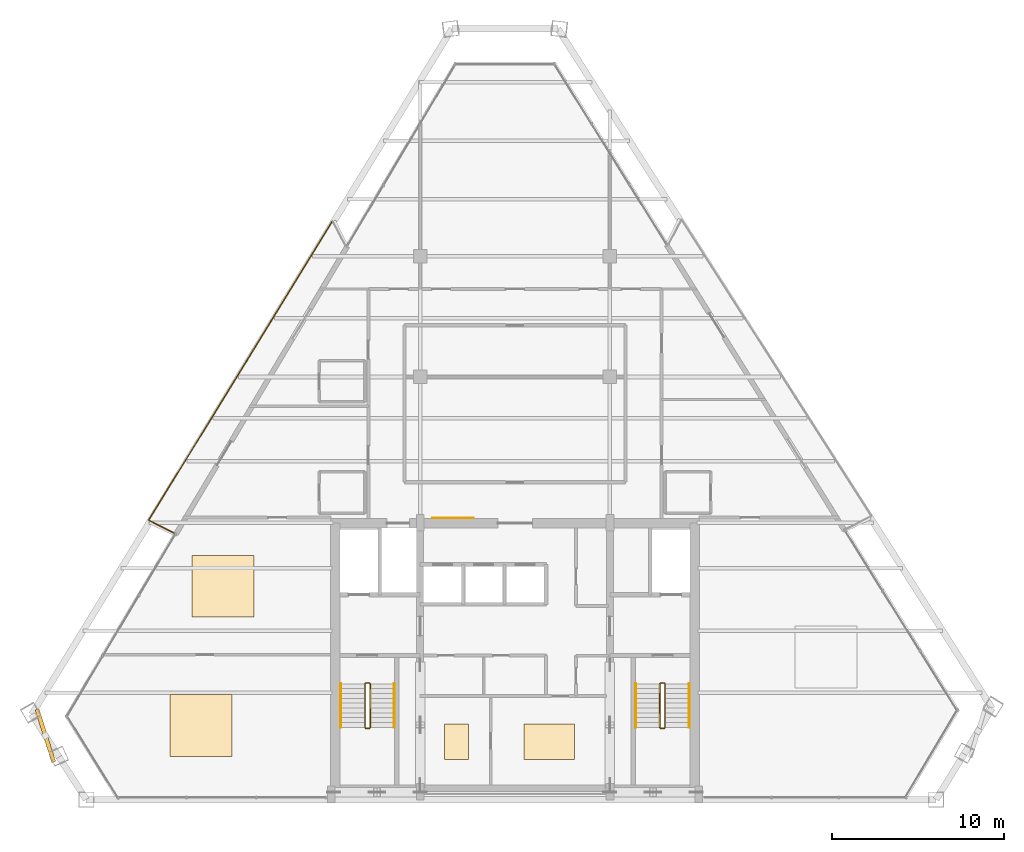
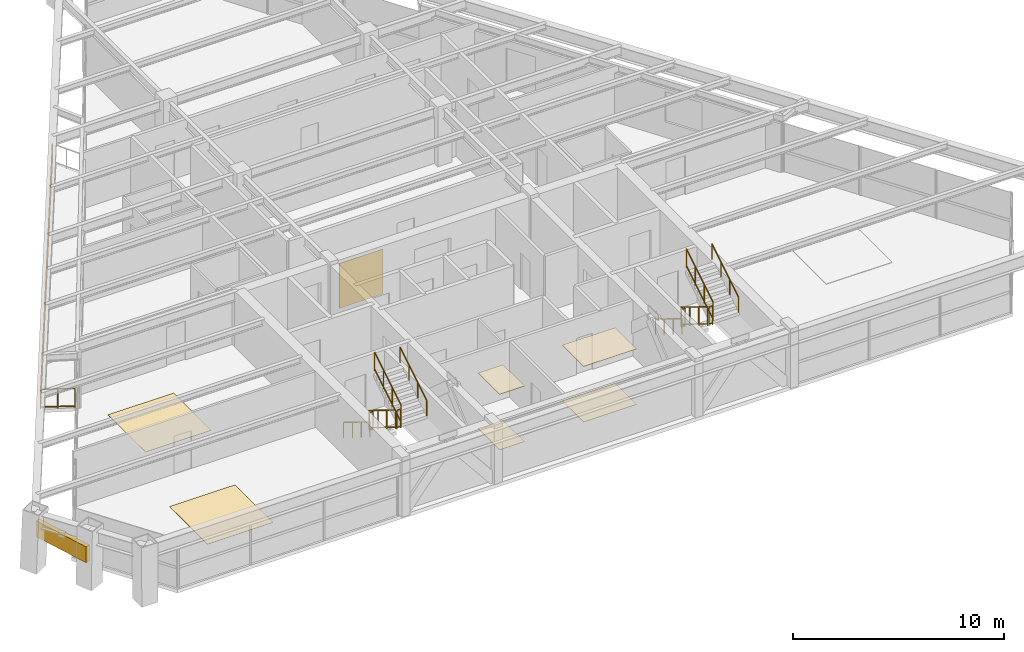
# One storey, part 11 of 12: 14 railings, 7 coverings, 1 shading device.
"""IFC4 building model written with IfcOpenShell, lengths in metres."""

from ifc_helpers import new_model, si_unit, direction, frame, origin, origin_2d, place, context, subcontext, project, spatial, rectangle, extrude, source, transform, mapped, material, layer, layer_set, type_object, type_shapes, element, save


model = new_model("IFC4")

# Units and contexts
model_context = context("Model", 3, precision=1e-05, world=origin(), true_north=direction((0.0, 1.0)))
body_context = subcontext(model_context, "Body", "Model", "MODEL_VIEW")
ifc_project = project(units=[si_unit("LENGTHUNIT", "METRE"), si_unit("AREAUNIT", "SQUARE_METRE"), si_unit("VOLUMEUNIT", "CUBIC_METRE"), si_unit("PLANEANGLEUNIT", "RADIAN"), si_unit("MASSUNIT", "GRAM", prefix="KILO")], contexts=[model_context])

# Site, building, storey
site_placement = place(None, origin())
site = spatial("IfcSite", under=ifc_project, at=site_placement, CompositionType="ELEMENT")
building_placement = place(site_placement, origin())
building = spatial("IfcBuilding", under=site, at=building_placement, Name="Varnakhor Terracotta Tower", CompositionType="ELEMENT")
storey_placement = place(building_placement, frame((0.0, 0.0, 226.89990234375)))
storey = spatial("IfcBuildingStorey", under=building, at=storey_placement, Name="L58", CompositionType="ELEMENT", Elevation=226.89990234375)

# Railings
ifc_material_1 = material(Name="Stainless Steel & Laminated Glass Guardrail", Category="steel")
railing_type_1 = type_object("IfcRailingType", Name="RLG-LOGGIA-GUARD-1150", PredefinedType="GUARDRAIL", material=ifc_material_1)
railing_1_placement = place(storey_placement, frame((-19.7822265625, 15.45361328125, 0.0)))
element("IfcRailing", 1, at=railing_1_placement, inside=storey, type_object=railing_type_1, Name="L58 W Loggia Glass Guard 1", PredefinedType="GUARDRAIL", context=body_context, shape_type="SweptSolid", body=[
    extrude(rectangle(XDim=0.048095703125, YDim=0.048095703125, at=origin_2d()), frame((0.0, 0.0, 1.1259765625), z_axis=(-0.888943163039, 0.45801752465, 0.0), x_axis=(-0.45801752465, -0.888943163039, 0.0)), (0.0, 0.0, 1.0), 1.631103515625),
    extrude(rectangle(XDim=0.048095703125, YDim=0.048095703125, at=origin_2d()), frame((0.0, 0.0, 0.10009765625), z_axis=(-0.888943163039, 0.45801752465, 0.0), x_axis=(-0.45801752465, -0.888943163039, 0.0)), (0.0, 0.0, 1.0), 1.631103515625),
    extrude(rectangle(XDim=0.0419921875, YDim=0.0419921875, at=origin_2d()), origin(), (0.0, 0.0, 1.0), 1.101806640625),
    extrude(rectangle(XDim=0.0419921875, YDim=0.0419921875, at=origin_2d()), frame((-0.72509765625, 0.37353515625, 0.0)), (0.0, 0.0, 1.0), 1.101806640625),
    extrude(rectangle(XDim=0.0419921875, YDim=0.0419921875, at=origin_2d()), frame((-1.449951171875, 0.7470703125, 0.0)), (0.0, 0.0, 1.0), 1.101806640625),
])
railing_2_placement = place(storey_placement, frame((-21.232177734375, 16.20068359375, 0.0)))
element("IfcRailing", 2, at=railing_2_placement, inside=storey, type_object=railing_type_1, Name="L58 W Loggia Glass Guard 2", PredefinedType="GUARDRAIL", context=body_context, shape_type="SweptSolid", body=[
    extrude(rectangle(XDim=0.048095703125, YDim=0.048095703125, at=origin_2d()), frame((0.0, 0.0, 1.1259765625), z_axis=(0.523518063165, 0.852014575896, 0.0), x_axis=(-0.852014575896, 0.523518063165, 0.0)), (0.0, 0.0, 1.0), 20.341552734375),
    extrude(rectangle(XDim=0.048095703125, YDim=0.048095703125, at=origin_2d()), frame((0.0, 0.0, 0.10009765625), z_axis=(0.523518063165, 0.852014575896, 0.0), x_axis=(-0.852014575896, 0.523518063165, 0.0)), (0.0, 0.0, 1.0), 20.341552734375),
    extrude(rectangle(XDim=0.0419921875, YDim=0.0419921875, at=origin_2d()), origin(), (0.0, 0.0, 1.0), 1.101806640625),
    extrude(rectangle(XDim=0.0419921875, YDim=0.0419921875, at=origin_2d()), frame((0.7099609375, 1.155517578125, 0.0)), (0.0, 0.0, 1.0), 1.101806640625),
    extrude(rectangle(XDim=0.0419921875, YDim=0.0419921875, at=origin_2d()), frame((1.419921875, 2.310791015625, 0.0)), (0.0, 0.0, 1.0), 1.101806640625),
    extrude(rectangle(XDim=0.0419921875, YDim=0.0419921875, at=origin_2d()), frame((2.1298828125, 3.46630859375, 0.0)), (0.0, 0.0, 1.0), 1.101806640625),
    extrude(rectangle(XDim=0.0419921875, YDim=0.0419921875, at=origin_2d()), frame((2.83984375, 4.62158203125, 0.0)), (0.0, 0.0, 1.0), 1.101806640625),
    extrude(rectangle(XDim=0.0419921875, YDim=0.0419921875, at=origin_2d()), frame((3.5498046875, 5.777099609375, 0.0)), (0.0, 0.0, 1.0), 1.101806640625),
    extrude(rectangle(XDim=0.0419921875, YDim=0.0419921875, at=origin_2d()), frame((4.259765625, 6.9326171875, 0.0)), (0.0, 0.0, 1.0), 1.101806640625),
    extrude(rectangle(XDim=0.0419921875, YDim=0.0419921875, at=origin_2d()), frame((4.9697265625, 8.087890625, 0.0)), (0.0, 0.0, 1.0), 1.101806640625),
    extrude(rectangle(XDim=0.0419921875, YDim=0.0419921875, at=origin_2d()), frame((5.679443359375, 9.243408203125, 0.0)), (0.0, 0.0, 1.0), 1.101806640625),
    extrude(rectangle(XDim=0.0419921875, YDim=0.0419921875, at=origin_2d()), frame((6.389404296875, 10.398681640625, 0.0)), (0.0, 0.0, 1.0), 1.101806640625),
    extrude(rectangle(XDim=0.0419921875, YDim=0.0419921875, at=origin_2d()), frame((7.099365234375, 11.55419921875, 0.0)), (0.0, 0.0, 1.0), 1.101806640625),
    extrude(rectangle(XDim=0.0419921875, YDim=0.0419921875, at=origin_2d()), frame((7.809326171875, 12.709716796875, 0.0)), (0.0, 0.0, 1.0), 1.101806640625),
    extrude(rectangle(XDim=0.0419921875, YDim=0.0419921875, at=origin_2d()), frame((8.519287109375, 13.864990234375, 0.0)), (0.0, 0.0, 1.0), 1.101806640625),
    extrude(rectangle(XDim=0.0419921875, YDim=0.0419921875, at=origin_2d()), frame((9.229248046875, 15.0205078125, 0.0)), (0.0, 0.0, 1.0), 1.101806640625),
    extrude(rectangle(XDim=0.0419921875, YDim=0.0419921875, at=origin_2d()), frame((9.939208984375, 16.17578125, 0.0)), (0.0, 0.0, 1.0), 1.101806640625),
    extrude(rectangle(XDim=0.0419921875, YDim=0.0419921875, at=origin_2d()), frame((10.649169921875, 17.331298828125, 0.0)), (0.0, 0.0, 1.0), 1.101806640625),
])
ifc_material_2 = material(Name="Painted Steel Stairwell Guardrail", Category="steel")
railing_type_2 = type_object("IfcRailingType", Name="RLG-STAIR-GUARD-1120", PredefinedType="GUARDRAIL", material=ifc_material_2)
railing_3_placement = place(storey_placement, frame((-8.699951171875, 6.7099609375, 0.172607421875)))
element("IfcRailing", 3, at=railing_3_placement, inside=storey, type_object=railing_type_2, Name="L58 ST-1 stair guard 1", PredefinedType="GUARDRAIL", context=body_context, shape_type="SweptSolid", body=[
    extrude(rectangle(XDim=0.048095703125, YDim=0.048095703125, at=origin_2d()), frame((0.0, 0.0, 1.09619140625), z_axis=(0.0, -0.851400495292, 0.524516154772), x_axis=(1.0, 0.0, 0.0)), (0.0, 0.0, 1.0), 2.9599609375),
    extrude(rectangle(XDim=0.048095703125, YDim=0.048095703125, at=origin_2d()), frame((0.0, 0.0, 0.10009765625), z_axis=(0.0, -0.851400495292, 0.524516154772), x_axis=(1.0, 0.0, 0.0)), (0.0, 0.0, 1.0), 2.9599609375),
    extrude(rectangle(XDim=0.0419921875, YDim=0.0419921875, at=origin_2d()), origin(), (0.0, 0.0, 1.0), 1.072021484375),
    extrude(rectangle(XDim=0.0419921875, YDim=0.0419921875, at=origin_2d()), frame((0.0, -0.840087890625, 0.517578125)), (0.0, 0.0, 1.0), 1.072021484375),
    extrude(rectangle(XDim=0.0419921875, YDim=0.0419921875, at=origin_2d()), frame((0.0, -1.679931640625, 1.034912109375)), (0.0, 0.0, 1.0), 1.072021484375),
    extrude(rectangle(XDim=0.0419921875, YDim=0.0419921875, at=origin_2d()), frame((0.0, -2.52001953125, 1.552490234375)), (0.0, 0.0, 1.0), 1.072021484375),
])
railing_4_placement = place(storey_placement, frame((-8.64990234375, 4.139892578125, 1.72509765625)))
element("IfcRailing", 4, at=railing_4_placement, inside=storey, type_object=railing_type_2, Name="L58 ST-1 stair guard 2", PredefinedType="GUARDRAIL", context=body_context, shape_type="SweptSolid", body=[
    extrude(rectangle(XDim=0.048095703125, YDim=0.048095703125, at=origin_2d()), frame((0.0, 0.0, 1.09619140625), z_axis=(1.0, 0.0, 0.0), x_axis=(0.0, 1.0, 0.0)), (0.0, 0.0, 1.0), 0.199951171875),
    extrude(rectangle(XDim=0.048095703125, YDim=0.048095703125, at=origin_2d()), frame((0.0, 0.0, 0.10009765625), z_axis=(1.0, 0.0, 0.0), x_axis=(0.0, 1.0, 0.0)), (0.0, 0.0, 1.0), 0.199951171875),
    extrude(rectangle(XDim=0.0419921875, YDim=0.0419921875, at=origin_2d()), origin(), (0.0, 0.0, 1.0), 1.072021484375),
    extrude(rectangle(XDim=0.0419921875, YDim=0.0419921875, at=origin_2d()), frame((0.199951171875, 0.0, 0.0)), (0.0, 0.0, 1.0), 1.072021484375),
])
railing_5_placement = place(storey_placement, frame((-8.39990234375, 4.18994140625, 1.897705078125)))
element("IfcRailing", 5, at=railing_5_placement, inside=storey, type_object=railing_type_2, Name="L58 ST-1 stair guard 3", PredefinedType="GUARDRAIL", context=body_context, shape_type="SweptSolid", body=[
    extrude(rectangle(XDim=0.048095703125, YDim=0.048095703125, at=origin_2d()), frame((0.0, 0.0, 1.09619140625), z_axis=(0.0, 0.851400495292, 0.524516154772), x_axis=(-1.0, 0.0, 0.0)), (0.0, 0.0, 1.0), 2.9599609375),
    extrude(rectangle(XDim=0.048095703125, YDim=0.048095703125, at=origin_2d()), frame((0.0, 0.0, 0.10009765625), z_axis=(0.0, 0.851400495292, 0.524516154772), x_axis=(-1.0, 0.0, 0.0)), (0.0, 0.0, 1.0), 2.9599609375),
    extrude(rectangle(XDim=0.0419921875, YDim=0.0419921875, at=origin_2d()), origin(), (0.0, 0.0, 1.0), 1.072021484375),
    extrude(rectangle(XDim=0.0419921875, YDim=0.0419921875, at=origin_2d()), frame((0.0, 0.840087890625, 0.517578125)), (0.0, 0.0, 1.0), 1.072021484375),
    extrude(rectangle(XDim=0.0419921875, YDim=0.0419921875, at=origin_2d()), frame((0.0, 1.679931640625, 1.034912109375)), (0.0, 0.0, 1.0), 1.072021484375),
    extrude(rectangle(XDim=0.0419921875, YDim=0.0419921875, at=origin_2d()), frame((0.0, 2.52001953125, 1.552490234375)), (0.0, 0.0, 1.0), 1.072021484375),
])
railing_6_placement = place(storey_placement, frame((-8.64990234375, 6.760009765625, 0.0)))
element("IfcRailing", 6, at=railing_6_placement, inside=storey, type_object=railing_type_2, Name="L58 ST-1 stair guard 4", PredefinedType="GUARDRAIL", context=body_context, shape_type="SweptSolid", body=[
    extrude(rectangle(XDim=0.048095703125, YDim=0.048095703125, at=origin_2d()), frame((0.0, 0.0, 1.09619140625), z_axis=(1.0, 0.0, 0.0), x_axis=(0.0, 1.0, 0.0)), (0.0, 0.0, 1.0), 0.199951171875),
    extrude(rectangle(XDim=0.048095703125, YDim=0.048095703125, at=origin_2d()), frame((0.0, 0.0, 0.10009765625), z_axis=(1.0, 0.0, 0.0), x_axis=(0.0, 1.0, 0.0)), (0.0, 0.0, 1.0), 0.199951171875),
    extrude(rectangle(XDim=0.0419921875, YDim=0.0419921875, at=origin_2d()), origin(), (0.0, 0.0, 1.0), 1.072021484375),
    extrude(rectangle(XDim=0.0419921875, YDim=0.0419921875, at=origin_2d()), frame((0.199951171875, 0.0, 0.0)), (0.0, 0.0, 1.0), 1.072021484375),
])
railing_7_placement = place(storey_placement, frame((8.39990234375, 6.7099609375, 0.172607421875)))
element("IfcRailing", 7, at=railing_7_placement, inside=storey, type_object=railing_type_2, Name="L58 ST-2 stair guard 1", PredefinedType="GUARDRAIL", context=body_context, shape_type="SweptSolid", body=[
    extrude(rectangle(XDim=0.048095703125, YDim=0.048095703125, at=origin_2d()), frame((0.0, 0.0, 1.09619140625), z_axis=(0.0, -0.851400495292, 0.524516154772), x_axis=(1.0, 0.0, 0.0)), (0.0, 0.0, 1.0), 2.9599609375),
    extrude(rectangle(XDim=0.048095703125, YDim=0.048095703125, at=origin_2d()), frame((0.0, 0.0, 0.10009765625), z_axis=(0.0, -0.851400495292, 0.524516154772), x_axis=(1.0, 0.0, 0.0)), (0.0, 0.0, 1.0), 2.9599609375),
    extrude(rectangle(XDim=0.0419921875, YDim=0.0419921875, at=origin_2d()), origin(), (0.0, 0.0, 1.0), 1.072021484375),
    extrude(rectangle(XDim=0.0419921875, YDim=0.0419921875, at=origin_2d()), frame((0.0, -0.840087890625, 0.517578125)), (0.0, 0.0, 1.0), 1.072021484375),
    extrude(rectangle(XDim=0.0419921875, YDim=0.0419921875, at=origin_2d()), frame((0.0, -1.679931640625, 1.034912109375)), (0.0, 0.0, 1.0), 1.072021484375),
    extrude(rectangle(XDim=0.0419921875, YDim=0.0419921875, at=origin_2d()), frame((0.0, -2.52001953125, 1.552490234375)), (0.0, 0.0, 1.0), 1.072021484375),
])
railing_8_placement = place(storey_placement, frame((8.449951171875, 4.139892578125, 1.72509765625)))
element("IfcRailing", 8, at=railing_8_placement, inside=storey, type_object=railing_type_2, Name="L58 ST-2 stair guard 2", PredefinedType="GUARDRAIL", context=body_context, shape_type="SweptSolid", body=[
    extrude(rectangle(XDim=0.048095703125, YDim=0.048095703125, at=origin_2d()), frame((0.0, 0.0, 1.09619140625), z_axis=(1.0, 0.0, 0.0), x_axis=(0.0, 1.0, 0.0)), (0.0, 0.0, 1.0), 0.199951171875),
    extrude(rectangle(XDim=0.048095703125, YDim=0.048095703125, at=origin_2d()), frame((0.0, 0.0, 0.10009765625), z_axis=(1.0, 0.0, 0.0), x_axis=(0.0, 1.0, 0.0)), (0.0, 0.0, 1.0), 0.199951171875),
    extrude(rectangle(XDim=0.0419921875, YDim=0.0419921875, at=origin_2d()), origin(), (0.0, 0.0, 1.0), 1.072021484375),
    extrude(rectangle(XDim=0.0419921875, YDim=0.0419921875, at=origin_2d()), frame((0.199951171875, 0.0, 0.0)), (0.0, 0.0, 1.0), 1.072021484375),
])
railing_9_placement = place(storey_placement, frame((8.699951171875, 4.18994140625, 1.897705078125)))
element("IfcRailing", 9, at=railing_9_placement, inside=storey, type_object=railing_type_2, Name="L58 ST-2 stair guard 3", PredefinedType="GUARDRAIL", context=body_context, shape_type="SweptSolid", body=[
    extrude(rectangle(XDim=0.048095703125, YDim=0.048095703125, at=origin_2d()), frame((0.0, 0.0, 1.09619140625), z_axis=(0.0, 0.851400495292, 0.524516154772), x_axis=(-1.0, 0.0, 0.0)), (0.0, 0.0, 1.0), 2.9599609375),
    extrude(rectangle(XDim=0.048095703125, YDim=0.048095703125, at=origin_2d()), frame((0.0, 0.0, 0.10009765625), z_axis=(0.0, 0.851400495292, 0.524516154772), x_axis=(-1.0, 0.0, 0.0)), (0.0, 0.0, 1.0), 2.9599609375),
    extrude(rectangle(XDim=0.0419921875, YDim=0.0419921875, at=origin_2d()), origin(), (0.0, 0.0, 1.0), 1.072021484375),
    extrude(rectangle(XDim=0.0419921875, YDim=0.0419921875, at=origin_2d()), frame((0.0, 0.840087890625, 0.517578125)), (0.0, 0.0, 1.0), 1.072021484375),
    extrude(rectangle(XDim=0.0419921875, YDim=0.0419921875, at=origin_2d()), frame((0.0, 1.679931640625, 1.034912109375)), (0.0, 0.0, 1.0), 1.072021484375),
    extrude(rectangle(XDim=0.0419921875, YDim=0.0419921875, at=origin_2d()), frame((0.0, 2.52001953125, 1.552490234375)), (0.0, 0.0, 1.0), 1.072021484375),
])
railing_10_placement = place(storey_placement, frame((8.449951171875, 6.760009765625, 0.0)))
element("IfcRailing", 10, at=railing_10_placement, inside=storey, type_object=railing_type_2, Name="L58 ST-2 stair guard 4", PredefinedType="GUARDRAIL", context=body_context, shape_type="SweptSolid", body=[
    extrude(rectangle(XDim=0.048095703125, YDim=0.048095703125, at=origin_2d()), frame((0.0, 0.0, 1.09619140625), z_axis=(1.0, 0.0, 0.0), x_axis=(0.0, 1.0, 0.0)), (0.0, 0.0, 1.0), 0.199951171875),
    extrude(rectangle(XDim=0.048095703125, YDim=0.048095703125, at=origin_2d()), frame((0.0, 0.0, 0.10009765625), z_axis=(1.0, 0.0, 0.0), x_axis=(0.0, 1.0, 0.0)), (0.0, 0.0, 1.0), 0.199951171875),
    extrude(rectangle(XDim=0.0419921875, YDim=0.0419921875, at=origin_2d()), origin(), (0.0, 0.0, 1.0), 1.072021484375),
    extrude(rectangle(XDim=0.0419921875, YDim=0.0419921875, at=origin_2d()), frame((0.199951171875, 0.0, 0.0)), (0.0, 0.0, 1.0), 1.072021484375),
])
ifc_material_3 = material(Name="Brushed Stainless Steel Handrail", Category="steel")
railing_type_3 = type_object("IfcRailingType", Name="RLG-STAIR-HANDRAIL-920", PredefinedType="HANDRAIL", material=ifc_material_3)
railing_11_placement = place(storey_placement, frame((-10.10009765625, 6.7099609375, 0.172607421875)))
element("IfcRailing", 11, at=railing_11_placement, inside=storey, type_object=railing_type_3, Name="L58 ST-1 stair handrail 1", PredefinedType="HANDRAIL", context=body_context, shape_type="SweptSolid", body=[
    extrude(rectangle(XDim=0.048095703125, YDim=0.048095703125, at=origin_2d()), frame((0.0, 0.0, 0.89599609375), z_axis=(0.0, -0.851400495292, 0.524516154772), x_axis=(1.0, 0.0, 0.0)), (0.0, 0.0, 1.0), 2.9599609375),
    extrude(rectangle(XDim=0.0419921875, YDim=0.0419921875, at=origin_2d()), origin(), (0.0, 0.0, 1.0), 0.871826171875),
    extrude(rectangle(XDim=0.0419921875, YDim=0.0419921875, at=origin_2d()), frame((0.0, -0.840087890625, 0.517578125)), (0.0, 0.0, 1.0), 0.871826171875),
    extrude(rectangle(XDim=0.0419921875, YDim=0.0419921875, at=origin_2d()), frame((0.0, -1.679931640625, 1.034912109375)), (0.0, 0.0, 1.0), 0.871826171875),
    extrude(rectangle(XDim=0.0419921875, YDim=0.0419921875, at=origin_2d()), frame((0.0, -2.52001953125, 1.552490234375)), (0.0, 0.0, 1.0), 0.871826171875),
])
railing_12_placement = place(storey_placement, frame((-7.0, 4.18994140625, 1.897705078125)))
element("IfcRailing", 12, at=railing_12_placement, inside=storey, type_object=railing_type_3, Name="L58 ST-1 stair handrail 2", PredefinedType="HANDRAIL", context=body_context, shape_type="SweptSolid", body=[
    extrude(rectangle(XDim=0.048095703125, YDim=0.048095703125, at=origin_2d()), frame((0.0, 0.0, 0.89599609375), z_axis=(0.0, 0.851400495292, 0.524516154772), x_axis=(-1.0, 0.0, 0.0)), (0.0, 0.0, 1.0), 2.9599609375),
    extrude(rectangle(XDim=0.0419921875, YDim=0.0419921875, at=origin_2d()), origin(), (0.0, 0.0, 1.0), 0.871826171875),
    extrude(rectangle(XDim=0.0419921875, YDim=0.0419921875, at=origin_2d()), frame((0.0, 0.840087890625, 0.517578125)), (0.0, 0.0, 1.0), 0.871826171875),
    extrude(rectangle(XDim=0.0419921875, YDim=0.0419921875, at=origin_2d()), frame((0.0, 1.679931640625, 1.034912109375)), (0.0, 0.0, 1.0), 0.871826171875),
    extrude(rectangle(XDim=0.0419921875, YDim=0.0419921875, at=origin_2d()), frame((0.0, 2.52001953125, 1.552490234375)), (0.0, 0.0, 1.0), 0.871826171875),
])
railing_13_placement = place(storey_placement, frame((7.0, 6.7099609375, 0.172607421875)))
element("IfcRailing", 13, at=railing_13_placement, inside=storey, type_object=railing_type_3, Name="L58 ST-2 stair handrail 1", PredefinedType="HANDRAIL", context=body_context, shape_type="SweptSolid", body=[
    extrude(rectangle(XDim=0.048095703125, YDim=0.048095703125, at=origin_2d()), frame((0.0, 0.0, 0.89599609375), z_axis=(0.0, -0.851400495292, 0.524516154772), x_axis=(1.0, 0.0, 0.0)), (0.0, 0.0, 1.0), 2.9599609375),
    extrude(rectangle(XDim=0.0419921875, YDim=0.0419921875, at=origin_2d()), origin(), (0.0, 0.0, 1.0), 0.871826171875),
    extrude(rectangle(XDim=0.0419921875, YDim=0.0419921875, at=origin_2d()), frame((0.0, -0.840087890625, 0.517578125)), (0.0, 0.0, 1.0), 0.871826171875),
    extrude(rectangle(XDim=0.0419921875, YDim=0.0419921875, at=origin_2d()), frame((0.0, -1.679931640625, 1.034912109375)), (0.0, 0.0, 1.0), 0.871826171875),
    extrude(rectangle(XDim=0.0419921875, YDim=0.0419921875, at=origin_2d()), frame((0.0, -2.52001953125, 1.552490234375)), (0.0, 0.0, 1.0), 0.871826171875),
])
railing_14_placement = place(storey_placement, frame((10.10009765625, 4.18994140625, 1.897705078125)))
element("IfcRailing", 14, at=railing_14_placement, inside=storey, type_object=railing_type_3, Name="L58 ST-2 stair handrail 2", PredefinedType="HANDRAIL", context=body_context, shape_type="SweptSolid", body=[
    extrude(rectangle(XDim=0.048095703125, YDim=0.048095703125, at=origin_2d()), frame((0.0, 0.0, 0.89599609375), z_axis=(0.0, 0.851400495292, 0.524516154772), x_axis=(-1.0, 0.0, 0.0)), (0.0, 0.0, 1.0), 2.9599609375),
    extrude(rectangle(XDim=0.0419921875, YDim=0.0419921875, at=origin_2d()), origin(), (0.0, 0.0, 1.0), 0.871826171875),
    extrude(rectangle(XDim=0.0419921875, YDim=0.0419921875, at=origin_2d()), frame((0.0, 0.840087890625, 0.517578125)), (0.0, 0.0, 1.0), 0.871826171875),
    extrude(rectangle(XDim=0.0419921875, YDim=0.0419921875, at=origin_2d()), frame((0.0, 1.679931640625, 1.034912109375)), (0.0, 0.0, 1.0), 0.871826171875),
    extrude(rectangle(XDim=0.0419921875, YDim=0.0419921875, at=origin_2d()), frame((0.0, 2.52001953125, 1.552490234375)), (0.0, 0.0, 1.0), 0.871826171875),
])

# Shading device
ifc_material_4 = material(Name="Extruded Architectural Terracotta Screen", Category="masonry")
shading_device_type = type_object("IfcShadingDeviceType", Name="TERRACOTTA SOLAR SCREEN W", PredefinedType="USERDEFINED", material=ifc_material_4)
shared_shape_1 = source(origin(), body_context, "Body", "SweptSolid", [
    extrude(rectangle(XDim=3.199951171875, YDim=0.239990234375, at=origin_2d()), origin(), (0.0, 0.0, 1.0), 0.919921875),
])
type_shapes(shading_device_type, [shared_shape_1])
shading_device_placement = place(storey_placement, frame((-27.22607421875, 3.703125, 1.562255859375), z_axis=(0.0, 0.0, 1.0), x_axis=(0.302020507822, -0.95330142812, 0.0)))
element("IfcShadingDevice", 15, at=shading_device_placement, inside=storey, type_object=shading_device_type, Name="L58 W Terracotta Solar Screen", ObjectType="SCREEN", PredefinedType="USERDEFINED", context=body_context, shape_type="MappedRepresentation", body=[
    mapped(shared_shape_1, transform((0.0, 0.0, 0.0), scale=1.0)),
])

# Coverings
ifc_material_5 = material(Name="Extruded Architectural Terracotta Cladding", Category="masonry")
ifc_layer_1 = layer(ifc_material_5, 0.044921875, Name="Extruded Architectural Terracotta Cladding")
ifc_layer_set_1 = layer_set([ifc_layer_1], Name="Extruded Architectural Terracotta Cladding")
covering_type_1 = type_object("IfcCoveringType", Name="COV-CLAD-TERRACOTTA", PredefinedType="CLADDING", material=ifc_layer_set_1)
shared_shape_2 = source(origin(), body_context, "Body", "SweptSolid", [
    extrude(rectangle(XDim=2.39990234375, YDim=0.030029296875, at=origin_2d()), origin(), (0.0, 0.0, 1.0), 2.60009765625),
])
type_shapes(covering_type_1, [shared_shape_2])
covering_1_placement = place(storey_placement, frame((-3.60009765625, 16.31201171875, 0.0), z_axis=(0.0, 0.0, 1.0), x_axis=(1.0, 0.0, 0.0)))
element("IfcCovering", 16, at=covering_1_placement, inside=storey, type_object=covering_type_1, Name="L58 Core Lobby Limestone Cladding", PredefinedType="CLADDING", context=body_context, shape_type="MappedRepresentation", body=[
    mapped(shared_shape_2, transform((0.0, 0.0, 0.0), scale=1.0)),
])
ifc_material_6 = material(Name="Honed Riyadh Limestone Flooring", Category="masonry")
ifc_layer_2 = layer(ifc_material_6, 0.030029296875, Name="Honed Riyadh Limestone Flooring")
ifc_layer_set_2 = layer_set([ifc_layer_2], Name="Honed Riyadh Limestone Flooring")
covering_type_2 = type_object("IfcCoveringType", Name="COV-FLOOR-LIMESTONE", PredefinedType="FLOORING", material=ifc_layer_set_2)
shared_shape_3 = source(origin(), body_context, "Body", "SweptSolid", [
    extrude(rectangle(XDim=3.60009765625, YDim=3.60009765625, at=origin_2d()), origin(), (0.0, 0.0, 1.0), 0.02001953125),
])
covering_2_placement = place(storey_placement, frame((-18.194091796875, 4.303955078125, 0.0), z_axis=(0.0, 0.0, 1.0), x_axis=(1.0, 0.0, 0.0)))
element("IfcCovering", 17, at=covering_2_placement, inside=storey, type_object=covering_type_2, Name="L58 Honed Stone Flooring 3", PredefinedType="FLOORING", context=body_context, shape_type="MappedRepresentation", body=[
    mapped(shared_shape_3, transform((0.0, 0.0, 0.0), scale=1.0)),
])
shared_shape_4 = source(origin(), body_context, "Body", "SweptSolid", [
    extrude(rectangle(XDim=1.375, YDim=2.041015625, at=origin_2d()), origin(), (0.0, 0.0, 1.0), 0.02001953125),
])
covering_3_placement = place(storey_placement, frame((-3.389892578125, 3.35498046875, 0.0), z_axis=(0.0, 0.0, 1.0), x_axis=(1.0, 0.0, 0.0)))
element("IfcCovering", 18, at=covering_3_placement, inside=storey, type_object=covering_type_2, Name="L58 Honed Stone Flooring 1", PredefinedType="FLOORING", context=body_context, shape_type="MappedRepresentation", body=[
    mapped(shared_shape_4, transform((0.0, 0.0, 0.0), scale=1.0)),
])
ifc_material_7 = material(Name="Perforated Acoustic Mineral-Fibre Ceiling", Category="gypsum")
ifc_layer_3 = layer(ifc_material_7, 0.02490234375, Name="Perforated Acoustic Mineral-Fibre Ceiling")
ifc_layer_set_3 = layer_set([ifc_layer_3], Name="Perforated Acoustic Mineral-Fibre Ceiling")
covering_type_3 = type_object("IfcCoveringType", Name="COV-CEILING-ACOUSTIC", PredefinedType="CEILING", material=ifc_layer_set_3)
shared_shape_5 = source(origin(), body_context, "Body", "SweptSolid", [
    extrude(rectangle(XDim=1.375, YDim=2.041015625, at=origin_2d()), origin(), (0.0, 0.0, 1.0), 0.02392578125),
])
covering_4_placement = place(storey_placement, frame((-3.389892578125, 3.35498046875, 3.216064453125), z_axis=(0.0, 0.0, 1.0), x_axis=(1.0, 0.0, 0.0)))
element("IfcCovering", 19, at=covering_4_placement, inside=storey, type_object=covering_type_3, Name="L58 Acoustic Ceiling Panel 1", PredefinedType="CEILING", context=body_context, shape_type="MappedRepresentation", body=[
    mapped(shared_shape_5, transform((0.0, 0.0, 0.0), scale=1.0)),
])
shared_shape_6 = source(origin(), body_context, "Body", "SweptSolid", [
    extrude(rectangle(XDim=2.9150390625, YDim=2.041015625, at=origin_2d()), origin(), (0.0, 0.0, 1.0), 0.02001953125),
])
covering_5_placement = place(storey_placement, frame((1.989990234375, 3.35498046875, 0.0), z_axis=(0.0, 0.0, 1.0), x_axis=(1.0, 0.0, 0.0)))
element("IfcCovering", 20, at=covering_5_placement, inside=storey, type_object=covering_type_2, Name="L58 Honed Stone Flooring 2", PredefinedType="FLOORING", context=body_context, shape_type="MappedRepresentation", body=[
    mapped(shared_shape_6, transform((0.0, 0.0, 0.0), scale=1.0)),
])
shared_shape_7 = source(origin(), body_context, "Body", "SweptSolid", [
    extrude(rectangle(XDim=2.9150390625, YDim=2.041015625, at=origin_2d()), origin(), (0.0, 0.0, 1.0), 0.02392578125),
])
covering_6_placement = place(storey_placement, frame((1.989990234375, 3.35498046875, 3.216064453125), z_axis=(0.0, 0.0, 1.0), x_axis=(1.0, 0.0, 0.0)))
element("IfcCovering", 21, at=covering_6_placement, inside=storey, type_object=covering_type_3, Name="L58 Acoustic Ceiling Panel 2", PredefinedType="CEILING", context=body_context, shape_type="MappedRepresentation", body=[
    mapped(shared_shape_7, transform((0.0, 0.0, 0.0), scale=1.0)),
])
shared_shape_8 = source(origin(), body_context, "Body", "SweptSolid", [
    extrude(rectangle(XDim=3.60009765625, YDim=3.56396484375, at=origin_2d()), origin(), (0.0, 0.0, 1.0), 0.02001953125),
])
covering_7_placement = place(storey_placement, frame((-16.922119140625, 12.361083984375, 0.0), z_axis=(0.0, 0.0, 1.0), x_axis=(1.0, 0.0, 0.0)))
element("IfcCovering", 22, at=covering_7_placement, inside=storey, type_object=covering_type_2, Name="L58 Honed Stone Flooring 5", PredefinedType="FLOORING", context=body_context, shape_type="MappedRepresentation", body=[
    mapped(shared_shape_8, transform((0.0, 0.0, 0.0), scale=1.0)),
])

save(model, "model.ifc")
